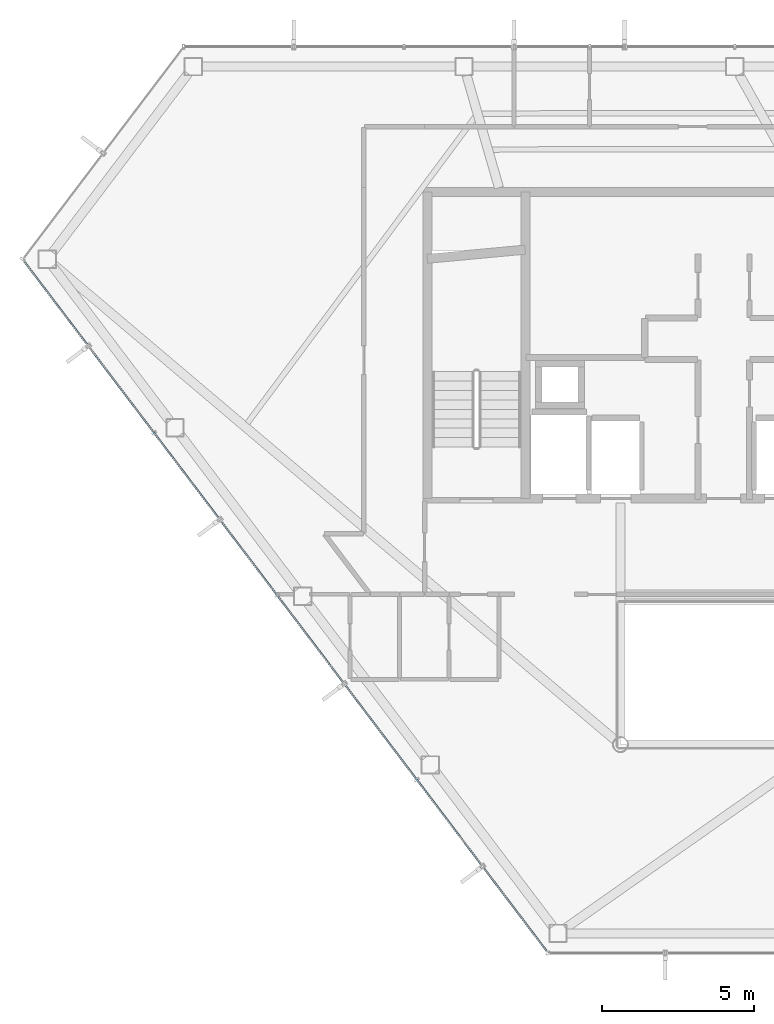
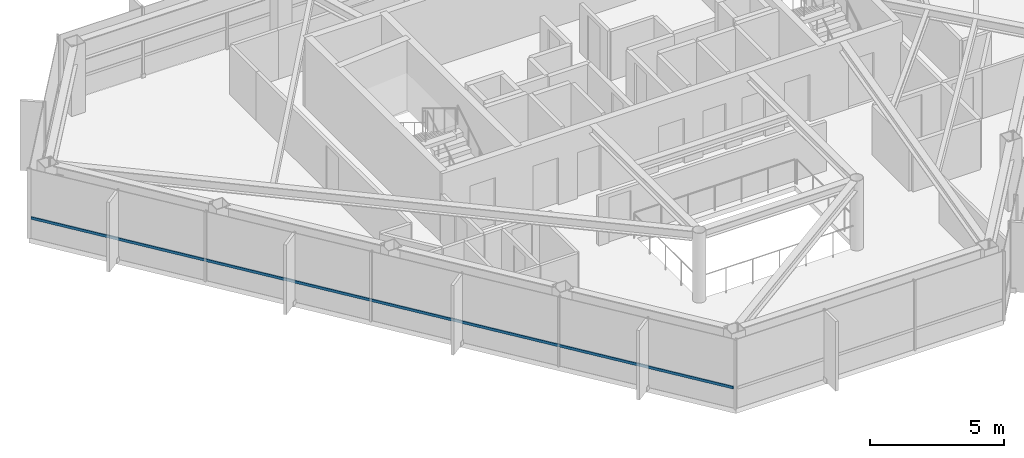
# One storey, part 4 of 27: 1 member, 1 element without a shape of its own.
"""IFC4 building model written with IfcOpenShell, lengths in metres."""

from ifc_helpers import new_model, si_unit, direction, frame, origin, origin_2d, place, context, subcontext, project, spatial, hollow_rectangle, extrude, material, layer, layer_set, material_profile, profile_set, type_object, element, aggregate, save


model = new_model("IFC4")

# Units and contexts
model_context = context("Model", 3, precision=1e-05, world=origin(), true_north=direction((0.0, 1.0)))
body_context = subcontext(model_context, "Body", "Model", "MODEL_VIEW")
ifc_project = project(units=[si_unit("LENGTHUNIT", "METRE"), si_unit("AREAUNIT", "SQUARE_METRE"), si_unit("VOLUMEUNIT", "CUBIC_METRE"), si_unit("PLANEANGLEUNIT", "RADIAN"), si_unit("MASSUNIT", "GRAM", prefix="KILO")], contexts=[model_context])

# Site, building, storey
site_placement = place(None, origin())
site = spatial("IfcSite", under=ifc_project, at=site_placement, CompositionType="ELEMENT")
building_placement = place(site_placement, origin())
building = spatial("IfcBuilding", under=site, at=building_placement, Name="Zarrinselat Tower", CompositionType="ELEMENT")
storey_placement = place(building_placement, frame((0.0, 0.0, 229.159912109375)))
storey = spatial("IfcBuildingStorey", under=building, at=storey_placement, Name="L57", CompositionType="ELEMENT", Elevation=229.159912109375)

# Curtain wall, member
ifc_material_1 = material(Name="Extruded Aluminium Alloy EN AW-6063 T6", Category="aluminium")
ifc_layer = layer(ifc_material_1, 0.169921875)
ifc_layer_set = layer_set([ifc_layer], Name="Extruded Aluminium Alloy EN AW-6063 T6")
curtain_wall_type = type_object("IfcCurtainWallType", Name="CWS-RES", PredefinedType="NOTDEFINED", material=ifc_layer_set)
curtain_wall_placement = place(storey_placement, origin())
curtain_wall = element("IfcCurtainWall", 1, at=curtain_wall_placement, inside=storey, type_object=curtain_wall_type, Name="L57 Unitised Curtain Wall CW-L57-E03", PredefinedType="NOTDEFINED")
ifc_material_2 = material(Name="Extruded Aluminium Alloy EN AW-6063 T6", Category="aluminium")
ifc_material_profile = material_profile(ifc_material_2, hollow_rectangle(XDim=0.06005859375, YDim=0.1201171875, WallThickness=0.00390625, at=origin_2d()), Name="RHS 120x60x4")
ifc_profile_set = profile_set([ifc_material_profile], Name="Extruded Aluminium Alloy EN AW-6063 T6")
member_type = type_object("IfcMemberType", Name="MEM-CW-TRN2", PredefinedType="USERDEFINED", material=ifc_profile_set)
member_placement = place(storey_placement, frame((15.365478515625, 41.10986328125, 0.9501953125), z_axis=(0.603860328371, -0.797090147862, 0.0), x_axis=(0.797090147862, 0.603860328371, 0.0)))
member = element("IfcMember", 2, at=member_placement, type_object=member_type, Name="CW-L57-E03 Transom 1", ObjectType="TRANSOM", PredefinedType="USERDEFINED", context=body_context, shape_type="SweptSolid", body=[
    extrude(hollow_rectangle(XDim=0.06005859375, YDim=0.1201171875, WallThickness=0.00390625, at=origin_2d()), origin(), (0.0, 0.0, 1.0), 28.483642578125),
])
aggregate(curtain_wall, [member])

save(model, "model.ifc")
